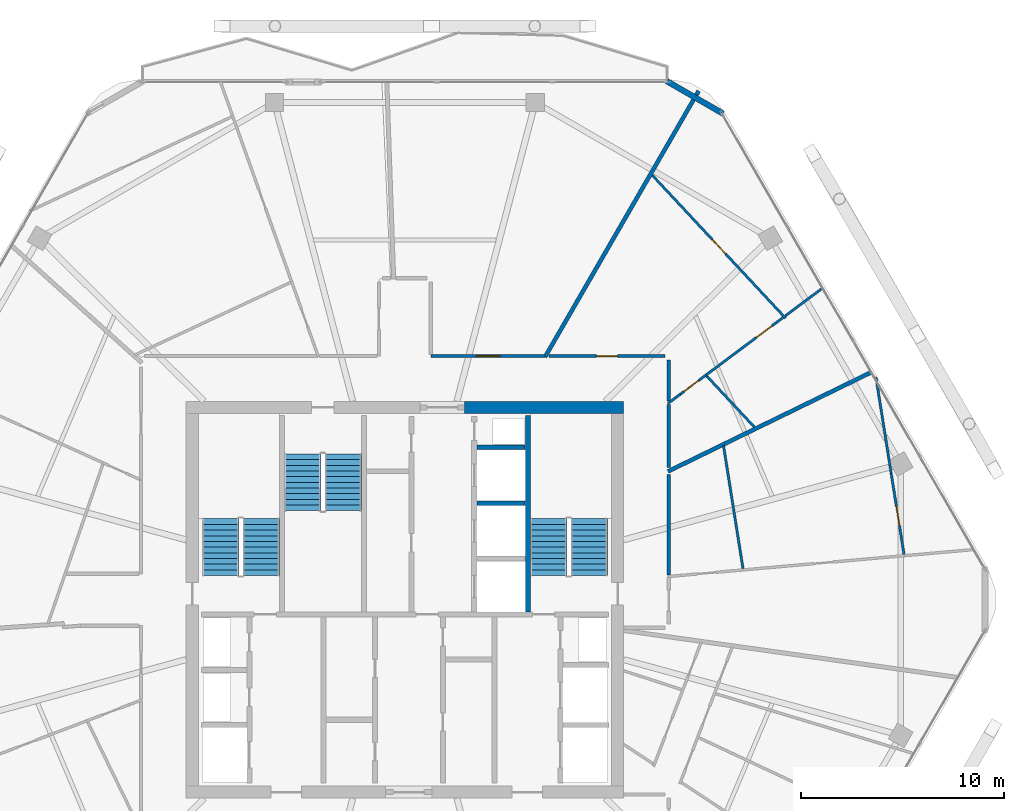
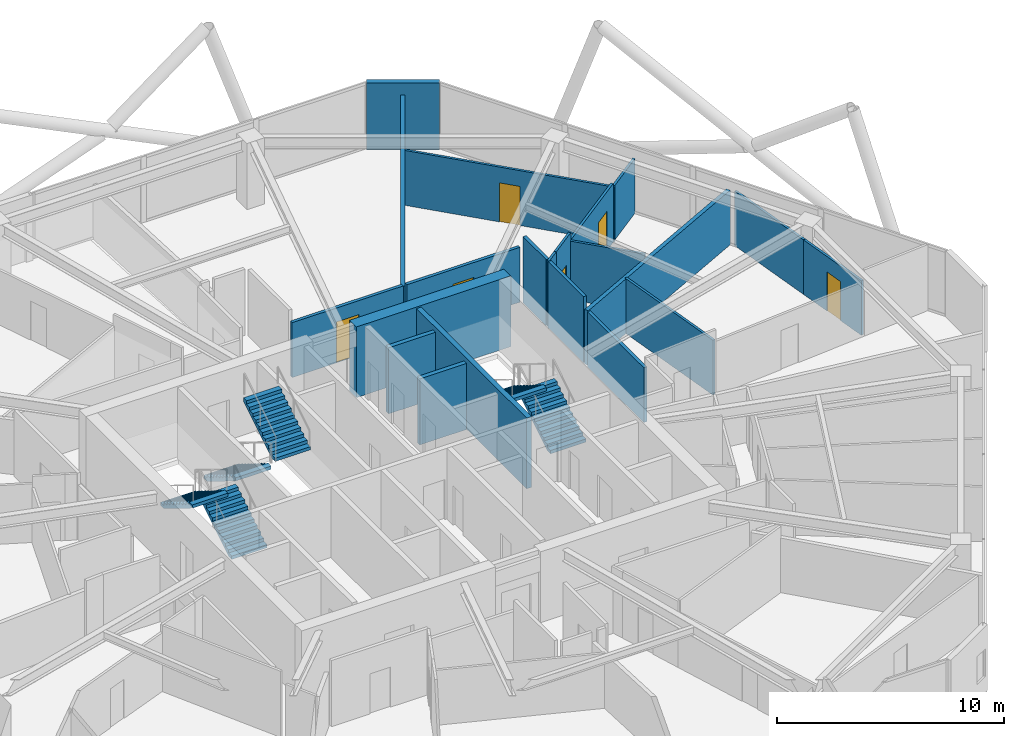
# One storey, part 24 of 26: 21 walls, 6 doors, 6 stair flights, 6 openings, 3 elements without a shape of their own.
"""IFC4 building model written with IfcOpenShell, lengths in metres."""

from ifc_helpers import new_model, si_unit, direction, frame, frame_2d, origin, place, context, subcontext, project, spatial, polyline, rectangle, outline, extrude, material, layer, layer_set, type_object, element, fill, aggregate, save


model = new_model("IFC4")

# Units and contexts
model_context = context("Model", 3, precision=1e-05, world=origin(), true_north=direction((0.0, 1.0)))
body_context = subcontext(model_context, "Body", "Model", "MODEL_VIEW")
ifc_project = project(units=[si_unit("LENGTHUNIT", "METRE"), si_unit("AREAUNIT", "SQUARE_METRE"), si_unit("VOLUMEUNIT", "CUBIC_METRE"), si_unit("PLANEANGLEUNIT", "RADIAN"), si_unit("MASSUNIT", "GRAM", prefix="KILO")], contexts=[model_context])

# Site, building, storey
site_placement = place(None, origin())
site = spatial("IfcSite", under=ifc_project, at=site_placement, CompositionType="ELEMENT")
building_placement = place(site_placement, origin())
building = spatial("IfcBuilding", under=site, at=building_placement, Name="Zuhravey Tower", CompositionType="ELEMENT")
storey_placement = place(building_placement, frame((0.0, 0.0, 231.199951171875)))
storey = spatial("IfcBuildingStorey", under=building, at=storey_placement, Name="L58", CompositionType="ELEMENT", Elevation=231.199951171875)

# Wall
ifc_material_1 = material(Name="Concrete C50/60", Category="concrete")
ifc_layer_1 = layer(ifc_material_1, 0.60009765625)
ifc_layer_set_1 = layer_set([ifc_layer_1], Name="Concrete C50/60")
wall_type_1 = type_object("IfcWallType", Name="Core Shear Wall 600", PredefinedType="SHEAR", material=ifc_layer_set_1)
wall_1_placement = place(storey_placement, frame((46.800048828125, 41.5, 0.0), z_axis=(0.0, 0.0, 1.0), x_axis=(-1.0, 0.0, 0.0)))
element("IfcWall", 1, at=wall_1_placement, inside=storey, type_object=wall_type_1, Name="L58 North-East Core Shear Wall CW60", PredefinedType="SHEAR", context=body_context, shape_type="SweptSolid", body=[
    extrude(rectangle(XDim=7.85009765625, YDim=0.60009765625, at=frame_2d((3.925048828125, 0.0))), origin(), (0.0, 0.0, 1.0), 3.800048828125),
])

# Wall, opening, door
ifc_material_2 = material(Name="Gypsum fire-rated stud partition")
ifc_layer_2 = layer(ifc_material_2, 0.159912109375)
ifc_layer_set_2 = layer_set([ifc_layer_2], Name="Gypsum fire-rated stud partition")
wall_type_2 = type_object("IfcWallType", Name="Corridor Fire Partition 160", PredefinedType="PARTITIONING", material=ifc_layer_set_2)
wall_2_placement = place(storey_placement, frame((48.85009765625, 44.030029296875, 0.0), z_axis=(0.0, 0.0, 1.0), x_axis=(-1.0, 0.0, 0.0)))
wall_2 = element("IfcWall", 2, at=wall_2_placement, inside=storey, type_object=wall_type_2, Name="L58 IW16 Partition 052", PredefinedType="PARTITIONING", context=body_context, shape_type="SweptSolid", body=[
    extrude(rectangle(XDim=5.74072265625, YDim=0.159912109375, at=frame_2d((2.870361328125, 0.0))), origin(), (0.0, 0.0, 1.0), 2.949951171875),
])
opening_1_placement = place(wall_2_placement, frame((2.34521484375, 0.0, 0.0)))
opening_1 = element("IfcOpeningElement", 3, at=opening_1_placement, cuts=wall_2, Name="Opening APD1", PredefinedType="OPENING", context=body_context, shape_type="SweptSolid", body=[
    extrude(rectangle(XDim=1.050048828125, YDim=2.14990234375, at=frame_2d((0.52490234375, 1.074951171875))), frame((0.0, 0.092041015625, 0.0), z_axis=(0.0, -1.0, 0.0), x_axis=(1.0, 0.0, 0.0)), (0.0, 0.0, 1.0), 0.183837890625),
])
ifc_material_3 = material(Name="Solid-core oak fire-rated leaf")
door_type_1 = type_object("IfcDoorType", Name="Apartment Entrance Fire Door 1050x2150", OperationType="NOTDEFINED", PredefinedType="DOOR", material=ifc_material_3)
door_1_placement = place(opening_1_placement, frame((1.050048828125, 0.0, 0.0), z_axis=(0.0, 0.0, 1.0), x_axis=(-1.0, 0.0, 0.0)))
door_1 = element("IfcDoor", 4, at=door_1_placement, inside=storey, type_object=door_type_1, Name="L58 Door 052.1", OperationType="SINGLE_SWING_RIGHT", OverallHeight=2.14990234375, OverallWidth=1.050048828125, PredefinedType="DOOR", context=body_context, shape_type="SweptSolid", body=[
    extrude(rectangle(XDim=1.050048828125, YDim=2.14990234375, at=frame_2d((0.52490234375, 1.074951171875))), frame((0.0, 0.02490234375, 0.0), z_axis=(0.0, -1.0, 0.0), x_axis=(1.0, 0.0, 0.0)), (0.0, 0.0, 1.0), 0.050048828125),
])
fill(opening_1, door_1)

wall_3_placement = place(storey_placement, frame((42.92236328125, 44.030029296875, 0.0), z_axis=(0.0, 0.0, 1.0), x_axis=(-1.0, 0.0, 0.0)))
wall_3 = element("IfcWall", 5, at=wall_3_placement, inside=storey, type_object=wall_type_2, Name="L58 IW16 Partition 053", PredefinedType="PARTITIONING", context=body_context, shape_type="SweptSolid", body=[
    extrude(rectangle(XDim=5.642333984375, YDim=0.159912109375, at=frame_2d((2.8212890625, 0.0))), origin(), (0.0, 0.0, 1.0), 2.949951171875),
])
opening_2_placement = place(wall_3_placement, frame((2.24609375, 0.0, 0.0)))
opening_2 = element("IfcOpeningElement", 6, at=opening_2_placement, cuts=wall_3, Name="Opening CLD1", PredefinedType="OPENING", context=body_context, shape_type="SweptSolid", body=[
    extrude(rectangle(XDim=1.14990234375, YDim=2.199951171875, at=frame_2d((0.574951171875, 1.10009765625))), frame((0.0, 0.092041015625, 0.0), z_axis=(0.0, -1.0, 0.0), x_axis=(1.0, 0.0, 0.0)), (0.0, 0.0, 1.0), 0.183837890625),
])
ifc_material_4 = material(Name="Acoustic timber leaf with vision lite", Category="wood")
door_type_2 = type_object("IfcDoorType", Name="Classroom Acoustic Door 1150x2200", OperationType="NOTDEFINED", PredefinedType="DOOR", material=ifc_material_4)
door_2_placement = place(opening_2_placement, frame((1.14990234375, 0.0, 0.0), z_axis=(0.0, 0.0, 1.0), x_axis=(-1.0, 0.0, 0.0)))
door_2 = element("IfcDoor", 7, at=door_2_placement, inside=storey, type_object=door_type_2, Name="L58 Door 053.1", OperationType="SINGLE_SWING_LEFT", OverallHeight=2.199951171875, OverallWidth=1.14990234375, PredefinedType="DOOR", context=body_context, shape_type="SweptSolid", body=[
    extrude(rectangle(XDim=1.14990234375, YDim=2.199951171875, at=frame_2d((0.574951171875, 1.10009765625))), frame((0.0, 0.02490234375, 0.0), z_axis=(0.0, -1.0, 0.0), x_axis=(1.0, 0.0, 0.0)), (0.0, 0.0, 1.0), 0.050048828125),
])
fill(opening_2, door_2)

# Walls
wall_4_placement = place(storey_placement, frame((49.030029296875, 33.21728515625, 0.0), z_axis=(0.0, 0.0, 1.0), x_axis=(0.0, 1.0, 0.0)))
element("IfcWall", 8, at=wall_4_placement, inside=storey, type_object=wall_type_2, Name="L58 IW16 Partition 111", PredefinedType="PARTITIONING", context=body_context, shape_type="SweptSolid", body=[
    extrude(rectangle(XDim=4.9755859375, YDim=0.159912109375, at=frame_2d((2.48779296875, 0.0))), origin(), (0.0, 0.0, 1.0), 2.949951171875),
])
wall_5_placement = place(storey_placement, frame((49.030029296875, 41.8076171875, 0.0), z_axis=(0.0, 0.0, 1.0), x_axis=(0.0, 1.0, 0.0)))
element("IfcWall", 9, at=wall_5_placement, inside=storey, type_object=wall_type_2, Name="L58 IW16 Partition 112", PredefinedType="PARTITIONING", context=body_context, shape_type="SweptSolid", body=[
    extrude(rectangle(XDim=2.04248046875, YDim=0.159912109375, at=frame_2d((1.021240234375, 0.0))), origin(), (0.0, 0.0, 1.0), 3.550048828125),
])
wall_6_placement = place(storey_placement, frame((49.030029296875, 38.518798828125, 0.0), z_axis=(0.0, 0.0, 1.0), x_axis=(0.0, 1.0, 0.0)))
element("IfcWall", 10, at=wall_6_placement, inside=storey, type_object=wall_type_2, Name="L58 IW16 Partition 113", PredefinedType="PARTITIONING", context=body_context, shape_type="SweptSolid", body=[
    extrude(rectangle(XDim=3.119140625, YDim=0.159912109375, at=frame_2d((1.5595703125, 0.0))), origin(), (0.0, 0.0, 1.0), 3.550048828125),
])
ifc_material_5 = material(Name="Precast concrete C40/50", Category="concrete")
ifc_layer_3 = layer(ifc_material_5, 0.280029296875)
ifc_layer_set_3 = layer_set([ifc_layer_3], Name="Precast concrete C40/50")
wall_type_3 = type_object("IfcWallType", Name="Crown Architectural Wall 280", PredefinedType="SOLIDWALL", material=ifc_layer_set_3)
wall_7_placement = place(storey_placement, frame((48.930419921875, 57.611083984375, 0.0), z_axis=(0.0, 0.0, 1.0), x_axis=(0.866028773314, -0.499994163758, 0.0)))
element("IfcWall", 11, at=wall_7_placement, inside=storey, type_object=wall_type_3, Name="L58 Rounded Corner Closure Wall EW28-10", PredefinedType="SOLIDWALL", context=body_context, shape_type="SweptSolid", body=[
    extrude(rectangle(XDim=3.21484375, YDim=0.280029296875, at=frame_2d((1.607421875, 0.0))), origin(), (0.0, 0.0, 1.0), 3.550048828125),
])
ifc_layer_4 = layer(ifc_material_1, 0.25)
ifc_layer_set_4 = layer_set([ifc_layer_4], Name="Concrete C50/60")
wall_type_4 = type_object("IfcWallType", Name="Firefighting Shaft & Stair Wall 250", PredefinedType="SOLIDWALL", material=ifc_layer_set_4)
wall_8_placement = place(storey_placement, frame((42.074951171875, 31.39990234375, 0.0), z_axis=(0.0, 0.0, 1.0), x_axis=(0.0, 1.0, 0.0)))
element("IfcWall", 12, at=wall_8_placement, inside=storey, type_object=wall_type_4, Name="L58 FW25 Shaft Wall 006", PredefinedType="SOLIDWALL", context=body_context, shape_type="SweptSolid", body=[
    extrude(rectangle(XDim=9.7001953125, YDim=0.25, at=frame_2d((4.85009765625, 0.0))), origin(), (0.0, 0.0, 1.0), 3.800048828125),
])
ifc_material_6 = material(Name="Gypsum double-stud party assembly")
ifc_layer_5 = layer(ifc_material_6, 0.199951171875)
ifc_layer_set_5 = layer_set([ifc_layer_5], Name="Gypsum double-stud party assembly")
wall_type_5 = type_object("IfcWallType", Name="Inter-Tenancy Party Wall 200", PredefinedType="PARTITIONING", material=ifc_layer_set_5)
wall_9_placement = place(storey_placement, frame((48.989990234375, 38.335693359375, 0.0), z_axis=(0.0, 0.0, 1.0), x_axis=(0.898797423647, 0.438364222133, 0.0)))
element("IfcWall", 13, at=wall_9_placement, inside=storey, type_object=wall_type_5, Name="L58 IW20 Partition 090", PredefinedType="PARTITIONING", context=body_context, shape_type="SweptSolid", body=[
    extrude(rectangle(XDim=11.17333984375, YDim=0.199951171875, at=frame_2d((5.586669921875, 0.0))), origin(), (0.0, 0.0, 1.0), 2.929931640625),
])
wall_10_placement = place(storey_placement, frame((42.92236328125, 43.989990234375, 0.0), z_axis=(0.0, 0.0, 1.0), x_axis=(0.500001103527, 0.866024766662, 0.0)))
element("IfcWall", 14, at=wall_10_placement, inside=storey, type_object=wall_type_5, Name="L58 IW20 Partition 093", PredefinedType="PARTITIONING", context=body_context, shape_type="SweptSolid", body=[
    extrude(rectangle(XDim=15.16845703125, YDim=0.199951171875, at=frame_2d((7.584228515625, 0.0))), origin(), (0.0, 0.0, 1.0), 2.929931640625),
])
ifc_material_7 = material(Name="Gypsum acoustic stud assembly")
ifc_layer_6 = layer(ifc_material_7, 0.219970703125)
ifc_layer_set_6 = layer_set([ifc_layer_6], Name="Gypsum acoustic stud assembly")
wall_type_6 = type_object("IfcWallType", Name="School Acoustic Compartment Wall 220", PredefinedType="PARTITIONING", material=ifc_layer_set_6)
for number, where, z_axis, x_axis, name in (
    (15, (39.55810546875, 36.77490234375, 0.0), (0.0, 0.0, 1.0), (1.0, 0.0, 0.0), "L58 IW22 Partition 056"),
    (16, (39.55810546875, 39.52490234375, 0.0), (0.0, 0.0, 1.0), (1.0, 0.0, 0.0), "L58 IW22 Partition 057"),
):
    element("IfcWall", number, at=place(storey_placement, frame(where, z_axis=z_axis, x_axis=x_axis)), inside=storey, type_object=wall_type_6, Name=name, PredefinedType="PARTITIONING", context=body_context, shape_type="SweptSolid", body=[
        extrude(rectangle(XDim=2.3837890625, YDim=0.219970703125, at=frame_2d((1.19189453125, 0.0))), origin(), (0.0, 0.0, 1.0), 3.550048828125),
    ])

# Wall, opening, door
ifc_material_8 = material(Name="Gypsum metal-stud partition")
ifc_layer_7 = layer(ifc_material_8, 0.1201171875)
ifc_layer_set_7 = layer_set([ifc_layer_7], Name="Gypsum metal-stud partition")
wall_type_7 = type_object("IfcWallType", Name="Unit Internal Partition 120", PredefinedType="PARTITIONING", material=ifc_layer_set_7)
wall_11_placement = place(storey_placement, frame((60.647705078125, 34.241943359375, 0.0), z_axis=(0.0, 0.0, 1.0), x_axis=(-0.156452472951, 0.987685488254, 0.0)))
wall_11 = element("IfcWall", 17, at=wall_11_placement, inside=storey, type_object=wall_type_7, Name="L58 IW12 Partition 046", PredefinedType="PARTITIONING", context=body_context, shape_type="SweptSolid", body=[
    extrude(rectangle(XDim=4.043212890625, YDim=0.1201171875, at=frame_2d((2.021484375, 0.0))), origin(), (0.0, 0.0, 1.0), 2.929931640625),
])
opening_3_placement = place(wall_11_placement, frame((1.46240234375, 0.0, 0.0)))
opening_3 = element("IfcOpeningElement", 18, at=opening_3_placement, cuts=wall_11, Name="Opening IND1", PredefinedType="OPENING", context=body_context, shape_type="SweptSolid", body=[
    extrude(rectangle(XDim=0.949951171875, YDim=2.10009765625, at=frame_2d((0.47509765625, 1.050048828125))), frame((0.0, 0.072021484375, 0.0), z_axis=(0.0, -1.0, 0.0), x_axis=(1.0, 0.0, 0.0)), (0.0, 0.0, 1.0), 0.14404296875),
])
ifc_material_9 = material(Name="Painted engineered timber leaf", Category="wood")
door_type_3 = type_object("IfcDoorType", Name="Internal Room & Bedroom Door 950x2100", OperationType="NOTDEFINED", PredefinedType="DOOR", material=ifc_material_9)
door_3_placement = place(opening_3_placement, frame((0.949951171875, 0.0, 0.0), z_axis=(0.0, 0.0, 1.0), x_axis=(-1.0, 0.0, 0.0)))
door_3 = element("IfcDoor", 19, at=door_3_placement, inside=storey, type_object=door_type_3, Name="Apartment L58-07 Bedroom 1 Door", OperationType="SINGLE_SWING_LEFT", OverallHeight=2.10009765625, OverallWidth=0.949951171875, PredefinedType="DOOR", context=body_context, shape_type="SweptSolid", body=[
    extrude(rectangle(XDim=0.949951171875, YDim=2.10009765625, at=frame_2d((0.47509765625, 1.050048828125))), frame((0.0, 0.02490234375, 0.0), z_axis=(0.0, -1.0, 0.0), x_axis=(1.0, 0.0, 0.0)), (0.0, 0.0, 1.0), 0.050048828125),
])
fill(opening_3, door_3)

wall_12_placement = place(storey_placement, frame((54.80029296875, 45.90380859375, 0.0), z_axis=(0.0, 0.0, 1.0), x_axis=(-0.68198067204, 0.731370195567, 0.0)))
wall_12 = element("IfcWall", 20, at=wall_12_placement, inside=storey, type_object=wall_type_7, Name="L58 IW12 Partition 048", PredefinedType="PARTITIONING", context=body_context, shape_type="SweptSolid", body=[
    extrude(rectangle(XDim=9.63916015625, YDim=0.1201171875, at=frame_2d((4.819580078125, 0.0))), origin(), (0.0, 0.0, 1.0), 2.949951171875),
])
opening_4_placement = place(wall_12_placement, frame((4.344482421875, 0.0, 0.0)))
opening_4 = element("IfcOpeningElement", 21, at=opening_4_placement, cuts=wall_12, Name="Opening IND1", PredefinedType="OPENING", context=body_context, shape_type="SweptSolid", body=[
    extrude(rectangle(XDim=0.949951171875, YDim=2.10009765625, at=frame_2d((0.47509765625, 1.050048828125))), frame((0.0, 0.072021484375, 0.0), z_axis=(0.0, -1.0, 0.0), x_axis=(1.0, 0.0, 0.0)), (0.0, 0.0, 1.0), 0.14404296875),
])
door_4_placement = place(opening_4_placement, frame((0.949951171875, 0.0, 0.0), z_axis=(0.0, 0.0, 1.0), x_axis=(-1.0, 0.0, 0.0)))
door_4 = element("IfcDoor", 22, at=door_4_placement, inside=storey, type_object=door_type_3, Name="Apartment L58-08 Family Study Door", OperationType="SINGLE_SWING_LEFT", OverallHeight=2.10009765625, OverallWidth=0.949951171875, PredefinedType="DOOR", context=body_context, shape_type="SweptSolid", body=[
    extrude(rectangle(XDim=0.949951171875, YDim=2.10009765625, at=frame_2d((0.47509765625, 1.050048828125))), frame((0.0, 0.02490234375, 0.0), z_axis=(0.0, -1.0, 0.0), x_axis=(1.0, 0.0, 0.0)), (0.0, 0.0, 1.0), 0.050048828125),
])
fill(opening_4, door_4)

wall_13_placement = place(storey_placement, frame((49.60009765625, 42.148193359375, 0.0), z_axis=(0.0, 0.0, 1.0), x_axis=(0.801441831829, 0.598072729854, 0.0)))
wall_13 = element("IfcWall", 23, at=wall_13_placement, inside=storey, type_object=wall_type_7, Name="L58 IW12 Partition 049", PredefinedType="PARTITIONING", context=body_context, shape_type="SweptSolid", body=[
    extrude(rectangle(XDim=1.6025390625, YDim=0.1201171875, at=frame_2d((0.80126953125, 0.0))), origin(), (0.0, 0.0, 1.0), 3.550048828125),
])
opening_5_placement = place(wall_13_placement, frame((0.22314453125, 0.0, 0.0)))
opening_5 = element("IfcOpeningElement", 24, at=opening_5_placement, cuts=wall_13, Name="Opening WCD1", PredefinedType="OPENING", context=body_context, shape_type="SweptSolid", body=[
    extrude(rectangle(XDim=0.89990234375, YDim=2.10009765625, at=frame_2d((0.449951171875, 1.050048828125))), frame((0.0, 0.072021484375, 0.0), z_axis=(0.0, -1.0, 0.0), x_axis=(1.0, 0.0, 0.0)), (0.0, 0.0, 1.0), 0.14404296875),
])
ifc_material_10 = material(Name="Moisture-resistant timber leaf", Category="wood")
door_type_4 = type_object("IfcDoorType", Name="Bathroom & WC Internal Door 900x2100", OperationType="NOTDEFINED", PredefinedType="DOOR", material=ifc_material_10)
door_5_placement = place(opening_5_placement, frame((0.89990234375, 0.0, 0.0), z_axis=(0.0, 0.0, 1.0), x_axis=(-1.0, 0.0, 0.0)))
door_5 = element("IfcDoor", 25, at=door_5_placement, inside=storey, type_object=door_type_4, Name="Apartment L58-08 Bathroom Door", OperationType="SINGLE_SWING_RIGHT", OverallHeight=2.10009765625, OverallWidth=0.89990234375, PredefinedType="DOOR", context=body_context, shape_type="SweptSolid", body=[
    extrude(rectangle(XDim=0.89990234375, YDim=2.10009765625, at=frame_2d((0.449951171875, 1.050048828125))), frame((0.0, 0.02490234375, 0.0), z_axis=(0.0, -1.0, 0.0), x_axis=(1.0, 0.0, 0.0)), (0.0, 0.0, 1.0), 0.050048828125),
])
fill(opening_5, door_5)

wall_14_placement = place(storey_placement, frame((50.884521484375, 43.106689453125, 0.0), z_axis=(0.0, 0.0, 1.0), x_axis=(0.801471130314, 0.598033466684, 0.0)))
wall_14 = element("IfcWall", 26, at=wall_14_placement, inside=storey, type_object=wall_type_7, Name="L58 IW12 Partition 050", PredefinedType="PARTITIONING", context=body_context, shape_type="SweptSolid", body=[
    extrude(rectangle(XDim=4.73193359375, YDim=0.1201171875, at=frame_2d((2.365966796875, 0.0))), origin(), (0.0, 0.0, 1.0), 3.150146484375),
])
opening_6_placement = place(wall_14_placement, frame((3.087158203125, 0.0, 0.0)))
opening_6 = element("IfcOpeningElement", 27, at=opening_6_placement, cuts=wall_14, Name="Opening IND1", PredefinedType="OPENING", context=body_context, shape_type="SweptSolid", body=[
    extrude(rectangle(XDim=0.949951171875, YDim=2.10009765625, at=frame_2d((0.47509765625, 1.050048828125))), frame((0.0, 0.072021484375, 0.0), z_axis=(0.0, -1.0, 0.0), x_axis=(1.0, 0.0, 0.0)), (0.0, 0.0, 1.0), 0.14404296875),
])
door_6_placement = place(opening_6_placement, frame((0.949951171875, 0.0, 0.0), z_axis=(0.0, 0.0, 1.0), x_axis=(-1.0, 0.0, 0.0)))
door_6 = element("IfcDoor", 28, at=door_6_placement, inside=storey, type_object=door_type_3, Name="Apartment L58-08 Bedroom 1 Door", OperationType="SINGLE_SWING_LEFT", OverallHeight=2.10009765625, OverallWidth=0.949951171875, PredefinedType="DOOR", context=body_context, shape_type="SweptSolid", body=[
    extrude(rectangle(XDim=0.949951171875, YDim=2.10009765625, at=frame_2d((0.47509765625, 1.050048828125))), frame((0.0, 0.02490234375, 0.0), z_axis=(0.0, -1.0, 0.0), x_axis=(1.0, 0.0, 0.0)), (0.0, 0.0, 1.0), 0.050048828125),
])
fill(opening_6, door_6)

# Walls
wall_15_placement = place(storey_placement, frame((54.78662109375, 46.018310546875, 0.0), z_axis=(0.0, 0.0, 1.0), x_axis=(0.801420991662, 0.598100655511, 0.0)))
element("IfcWall", 29, at=wall_15_placement, inside=storey, type_object=wall_type_7, Name="L58 IW12 Partition 051", PredefinedType="PARTITIONING", context=body_context, shape_type="SweptSolid", body=[
    extrude(rectangle(XDim=2.305419921875, YDim=0.1201171875, at=frame_2d((1.15283203125, 0.0))), origin(), (0.0, 0.0, 1.0), 2.929931640625),
])
wall_16_placement = place(storey_placement, frame((52.69580078125, 33.540771484375, 0.0), z_axis=(0.0, 0.0, 1.0), x_axis=(-0.156398775455, 0.987693992609, 0.0)))
element("IfcWall", 30, at=wall_16_placement, inside=storey, type_object=wall_type_7, Name="L58 IW12 Partition 088", PredefinedType="PARTITIONING", context=body_context, shape_type="SweptSolid", body=[
    extrude(rectangle(XDim=6.150390625, YDim=0.1201171875, at=frame_2d((3.0751953125, 0.0))), origin(), (0.0, 0.0, 1.0), 2.949951171875),
])
wall_17_placement = place(storey_placement, frame((60.014404296875, 38.239501953125, 0.0), z_axis=(0.0, 0.0, 1.0), x_axis=(-0.15641529171, 0.987691377162, 0.0)))
element("IfcWall", 31, at=wall_17_placement, inside=storey, type_object=wall_type_7, Name="L58 IW12 Partition 089", PredefinedType="PARTITIONING", context=body_context, shape_type="SweptSolid", body=[
    extrude(rectangle(XDim=4.818359375, YDim=0.1201171875, at=frame_2d((2.4091796875, 0.0))), origin(), (0.0, 0.0, 1.0), 2.929931640625),
])
wall_18_placement = place(storey_placement, frame((48.985107421875, 41.689208984375, 0.0), z_axis=(0.0, 0.0, 1.0), x_axis=(0.801410352198, 0.598114911526, 0.0)))
element("IfcWall", 32, at=wall_18_placement, inside=storey, type_object=wall_type_7, Name="L58 IW12 Partition 091", PredefinedType="PARTITIONING", context=body_context, shape_type="SweptSolid", body=[
    extrude(rectangle(XDim=0.767333984375, YDim=0.1201171875, at=frame_2d((0.3837890625, 0.0))), origin(), (0.0, 0.0, 1.0), 3.550048828125),
])
wall_19_placement = place(storey_placement, frame((53.249755859375, 40.533447265625, 0.0), z_axis=(0.0, 0.0, 1.0), x_axis=(-0.682008737139, 0.731344024701, 0.0)))
element("IfcWall", 33, at=wall_19_placement, inside=storey, type_object=wall_type_7, Name="L58 IW12 Partition 092", PredefinedType="PARTITIONING", context=body_context, shape_type="SweptSolid", body=[
    extrude(rectangle(XDim=3.429443359375, YDim=0.1201171875, at=frame_2d((1.71484375, 0.0))), origin(), (0.0, 0.0, 1.0), 3.150146484375),
])

# Stair, stair flights
ifc_material_11 = material(Name="Concrete C40/50", Category="concrete")
stair_type = type_object("IfcStairType", Name="Housing Storey Stair Assembly 3800", PredefinedType="HALF_TURN_STAIR", material=ifc_material_11)
stair_1_placement = place(storey_placement, origin())
stair_1 = element("IfcStair", 34, at=stair_1_placement, inside=storey, type_object=stair_type, Name="L58 Core Exit Stair ST1", PredefinedType="HALF_TURN_STAIR")
stair_flight_type = type_object("IfcStairFlightType", Name="Housing Storey Stair Flight 3800", PredefinedType="STRAIGHT", material=ifc_material_11)
stair_flight_1_placement = place(storey_placement, frame((28.89990234375, 33.199951171875, 0.0), z_axis=(0.0, 0.0, 1.0), x_axis=(0.0, 1.0, 0.0)))
stair_flight_1 = element("IfcStairFlight", 35, at=stair_flight_1_placement, type_object=stair_flight_type, Name="ST1 flight 1", NumberOfRisers=11, NumberOfTreads=10, PredefinedType="STRAIGHT", RiserHeight=0.172727273, TreadLength=0.28, context=body_context, shape_type="SweptSolid", body=[
    extrude(outline(polyline([(0.0, 0.0), (0.0, 0.172607421875), (0.280029296875, 0.172607421875), (0.280029296875, 0.345458984375), (0.56005859375, 0.345458984375), (0.56005859375, 0.51806640625), (0.840087890625, 0.51806640625), (0.840087890625, 0.69091796875), (1.1201171875, 0.69091796875), (1.1201171875, 0.863525390625), (1.39990234375, 0.863525390625), (1.39990234375, 1.036376953125), (1.679931640625, 1.036376953125), (1.679931640625, 1.208984375), (1.9599609375, 1.208984375), (1.9599609375, 1.3818359375), (2.239990234375, 1.3818359375), (2.239990234375, 1.554443359375), (2.52001953125, 1.554443359375), (2.52001953125, 1.727294921875), (2.800048828125, 1.727294921875), (2.800048828125, 1.89990234375), (2.800048828125, 1.551025390625), (0.285400390625, 0.0), (0.0, 0.0)])), frame((0.0, 0.89990234375, 0.0), z_axis=(0.0, -1.0, 0.0), x_axis=(1.0, 0.0, 0.0)), (0.0, 0.0, 1.0), 1.800048828125),
])
stair_flight_2_placement = place(storey_placement, frame((26.89990234375, 36.0, 1.900146484375), z_axis=(0.0, 0.0, 1.0), x_axis=(0.0, -1.0, 0.0)))
stair_flight_2 = element("IfcStairFlight", 36, at=stair_flight_2_placement, type_object=stair_flight_type, Name="ST1 flight 2", NumberOfRisers=11, NumberOfTreads=10, PredefinedType="STRAIGHT", RiserHeight=0.172727273, TreadLength=0.28, context=body_context, shape_type="SweptSolid", body=[
    extrude(outline(polyline([(0.0, 0.0), (0.0, 0.172607421875), (0.280029296875, 0.172607421875), (0.280029296875, 0.345458984375), (0.56005859375, 0.345458984375), (0.56005859375, 0.51806640625), (0.840087890625, 0.51806640625), (0.840087890625, 0.69091796875), (1.1201171875, 0.69091796875), (1.1201171875, 0.863525390625), (1.39990234375, 0.863525390625), (1.39990234375, 1.036376953125), (1.679931640625, 1.036376953125), (1.679931640625, 1.208984375), (1.9599609375, 1.208984375), (1.9599609375, 1.3818359375), (2.239990234375, 1.3818359375), (2.239990234375, 1.554443359375), (2.52001953125, 1.554443359375), (2.52001953125, 1.727294921875), (2.800048828125, 1.727294921875), (2.800048828125, 1.89990234375), (2.800048828125, 1.551025390625), (0.285400390625, 0.0), (0.0, 0.0)])), frame((0.0, 0.89990234375, 0.0), z_axis=(0.0, -1.0, 0.0), x_axis=(1.0, 0.0, 0.0)), (0.0, 0.0, 1.0), 1.800048828125),
])
aggregate(stair_1, [stair_flight_1, stair_flight_2])

stair_2_placement = place(storey_placement, origin())
stair_2 = element("IfcStair", 37, at=stair_2_placement, inside=storey, type_object=stair_type, Name="L58 Core Exit Stair ST2", PredefinedType="HALF_TURN_STAIR")
stair_flight_3_placement = place(storey_placement, frame((45.10009765625, 33.199951171875, 0.0), z_axis=(0.0, 0.0, 1.0), x_axis=(0.0, 1.0, 0.0)))
stair_flight_3 = element("IfcStairFlight", 38, at=stair_flight_3_placement, type_object=stair_flight_type, Name="ST2 flight 1", NumberOfRisers=11, NumberOfTreads=10, PredefinedType="STRAIGHT", RiserHeight=0.172727273, TreadLength=0.28, context=body_context, shape_type="SweptSolid", body=[
    extrude(outline(polyline([(0.0, 0.0), (0.0, 0.172607421875), (0.280029296875, 0.172607421875), (0.280029296875, 0.345458984375), (0.56005859375, 0.345458984375), (0.56005859375, 0.51806640625), (0.840087890625, 0.51806640625), (0.840087890625, 0.69091796875), (1.1201171875, 0.69091796875), (1.1201171875, 0.863525390625), (1.39990234375, 0.863525390625), (1.39990234375, 1.036376953125), (1.679931640625, 1.036376953125), (1.679931640625, 1.208984375), (1.9599609375, 1.208984375), (1.9599609375, 1.3818359375), (2.239990234375, 1.3818359375), (2.239990234375, 1.554443359375), (2.52001953125, 1.554443359375), (2.52001953125, 1.727294921875), (2.800048828125, 1.727294921875), (2.800048828125, 1.89990234375), (2.800048828125, 1.551025390625), (0.285400390625, 0.0), (0.0, 0.0)])), frame((0.0, 0.89990234375, 0.0), z_axis=(0.0, -1.0, 0.0), x_axis=(1.0, 0.0, 0.0)), (0.0, 0.0, 1.0), 1.800048828125),
])
stair_flight_4_placement = place(storey_placement, frame((43.10009765625, 36.0, 1.900146484375), z_axis=(0.0, 0.0, 1.0), x_axis=(0.0, -1.0, 0.0)))
stair_flight_4 = element("IfcStairFlight", 39, at=stair_flight_4_placement, type_object=stair_flight_type, Name="ST2 flight 2", NumberOfRisers=11, NumberOfTreads=10, PredefinedType="STRAIGHT", RiserHeight=0.172727273, TreadLength=0.28, context=body_context, shape_type="SweptSolid", body=[
    extrude(outline(polyline([(0.0, 0.0), (0.0, 0.172607421875), (0.280029296875, 0.172607421875), (0.280029296875, 0.345458984375), (0.56005859375, 0.345458984375), (0.56005859375, 0.51806640625), (0.840087890625, 0.51806640625), (0.840087890625, 0.69091796875), (1.1201171875, 0.69091796875), (1.1201171875, 0.863525390625), (1.39990234375, 0.863525390625), (1.39990234375, 1.036376953125), (1.679931640625, 1.036376953125), (1.679931640625, 1.208984375), (1.9599609375, 1.208984375), (1.9599609375, 1.3818359375), (2.239990234375, 1.3818359375), (2.239990234375, 1.554443359375), (2.52001953125, 1.554443359375), (2.52001953125, 1.727294921875), (2.800048828125, 1.727294921875), (2.800048828125, 1.89990234375), (2.800048828125, 1.551025390625), (0.285400390625, 0.0), (0.0, 0.0)])), frame((0.0, 0.89990234375, 0.0), z_axis=(0.0, -1.0, 0.0), x_axis=(1.0, 0.0, 0.0)), (0.0, 0.0, 1.0), 1.800048828125),
])
aggregate(stair_2, [stair_flight_3, stair_flight_4])

stair_3_placement = place(storey_placement, origin())
stair_3 = element("IfcStair", 40, at=stair_3_placement, inside=storey, type_object=stair_type, Name="L58 Core Exit Stair ST3", PredefinedType="HALF_TURN_STAIR")
stair_flight_5_placement = place(storey_placement, frame((30.949951171875, 39.199951171875, 0.0), z_axis=(0.0, 0.0, 1.0), x_axis=(0.0, -1.0, 0.0)))
stair_flight_5 = element("IfcStairFlight", 41, at=stair_flight_5_placement, type_object=stair_flight_type, Name="ST3 flight 1", NumberOfRisers=11, NumberOfTreads=10, PredefinedType="STRAIGHT", RiserHeight=0.172727273, TreadLength=0.28, context=body_context, shape_type="SweptSolid", body=[
    extrude(outline(polyline([(0.0, 0.0), (0.0, 0.172607421875), (0.280029296875, 0.172607421875), (0.280029296875, 0.345458984375), (0.56005859375, 0.345458984375), (0.56005859375, 0.51806640625), (0.840087890625, 0.51806640625), (0.840087890625, 0.69091796875), (1.1201171875, 0.69091796875), (1.1201171875, 0.863525390625), (1.39990234375, 0.863525390625), (1.39990234375, 1.036376953125), (1.679931640625, 1.036376953125), (1.679931640625, 1.208984375), (1.9599609375, 1.208984375), (1.9599609375, 1.3818359375), (2.239990234375, 1.3818359375), (2.239990234375, 1.554443359375), (2.52001953125, 1.554443359375), (2.52001953125, 1.727294921875), (2.800048828125, 1.727294921875), (2.800048828125, 1.89990234375), (2.800048828125, 1.551025390625), (0.285400390625, 0.0), (0.0, 0.0)])), frame((0.0, 0.89990234375, 0.0), z_axis=(0.0, -1.0, 0.0), x_axis=(1.0, 0.0, 0.0)), (0.0, 0.0, 1.0), 1.800048828125),
])
stair_flight_6_placement = place(storey_placement, frame((32.949951171875, 36.39990234375, 1.900146484375), z_axis=(0.0, 0.0, 1.0), x_axis=(0.0, 1.0, 0.0)))
stair_flight_6 = element("IfcStairFlight", 42, at=stair_flight_6_placement, type_object=stair_flight_type, Name="ST3 flight 2", NumberOfRisers=11, NumberOfTreads=10, PredefinedType="STRAIGHT", RiserHeight=0.172727273, TreadLength=0.28, context=body_context, shape_type="SweptSolid", body=[
    extrude(outline(polyline([(0.0, 0.0), (0.0, 0.172607421875), (0.280029296875, 0.172607421875), (0.280029296875, 0.345458984375), (0.56005859375, 0.345458984375), (0.56005859375, 0.51806640625), (0.840087890625, 0.51806640625), (0.840087890625, 0.69091796875), (1.1201171875, 0.69091796875), (1.1201171875, 0.863525390625), (1.39990234375, 0.863525390625), (1.39990234375, 1.036376953125), (1.679931640625, 1.036376953125), (1.679931640625, 1.208984375), (1.9599609375, 1.208984375), (1.9599609375, 1.3818359375), (2.239990234375, 1.3818359375), (2.239990234375, 1.554443359375), (2.52001953125, 1.554443359375), (2.52001953125, 1.727294921875), (2.800048828125, 1.727294921875), (2.800048828125, 1.89990234375), (2.800048828125, 1.551025390625), (0.285400390625, 0.0), (0.0, 0.0)])), frame((0.0, 0.89990234375, 0.0), z_axis=(0.0, -1.0, 0.0), x_axis=(1.0, 0.0, 0.0)), (0.0, 0.0, 1.0), 1.800048828125),
])
aggregate(stair_3, [stair_flight_5, stair_flight_6])

save(model, "model.ifc")
